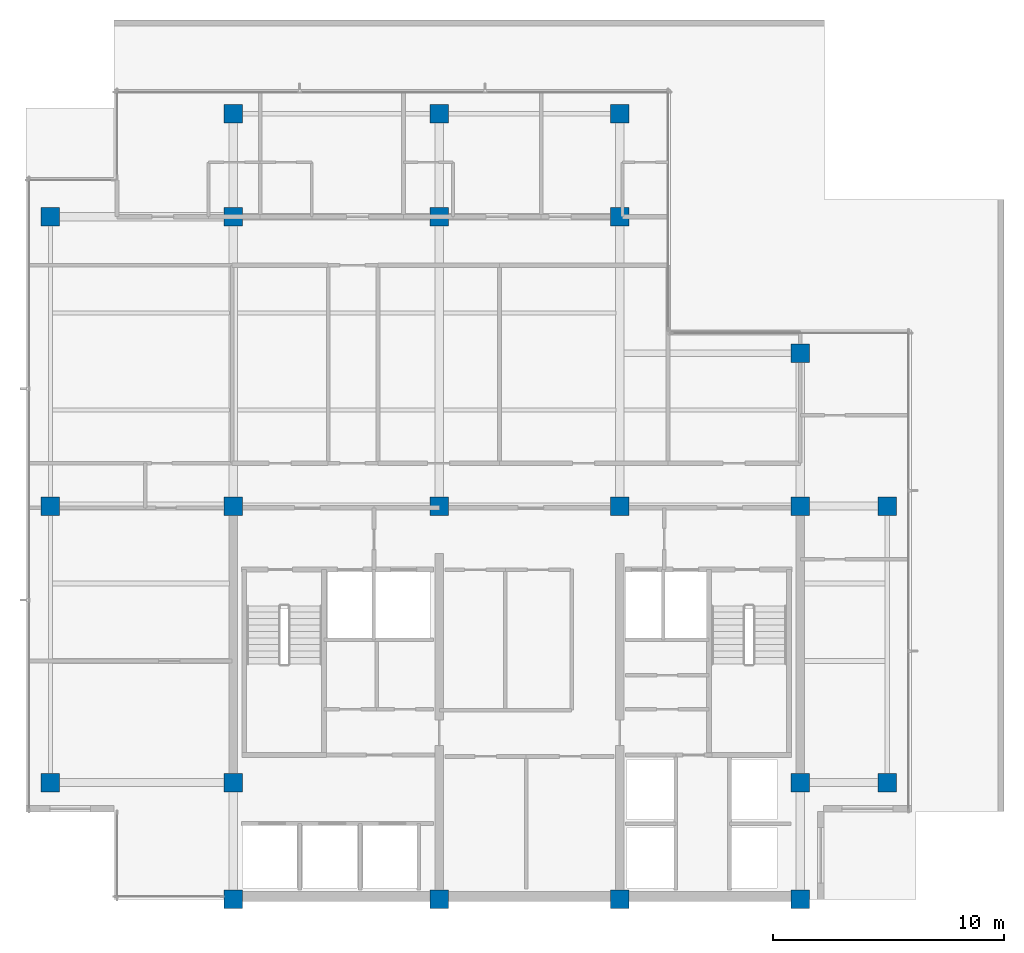
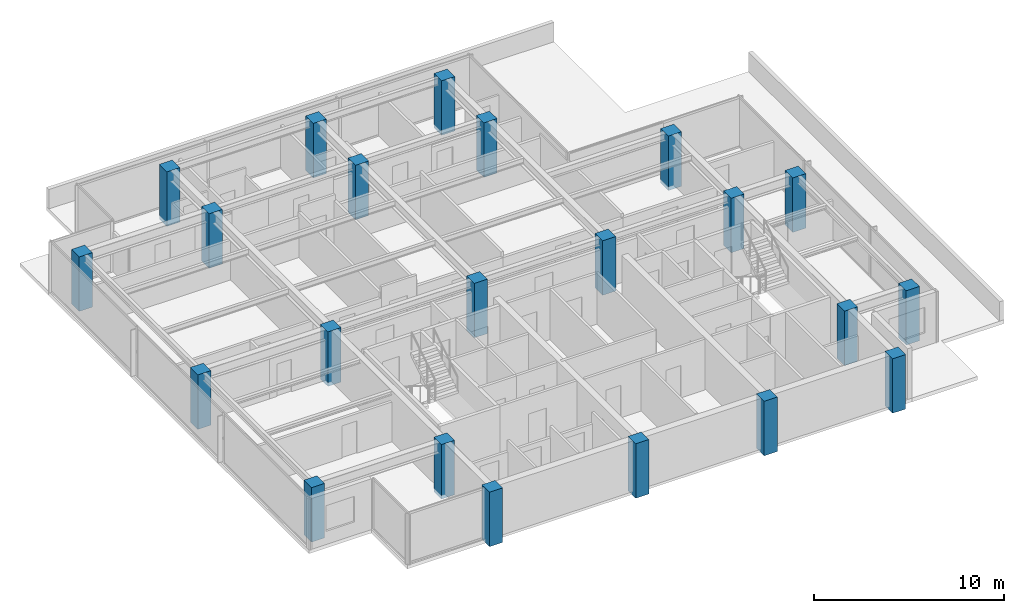
# One storey, part 1 of 11: 22 columns.
"""IFC4 building model written with IfcOpenShell, lengths in metres."""

import ifcopenshell
import ifcopenshell.guid

model = None  # the IFC model being written
_history = None  # IfcOwnerHistory: only IFC2X3 demands one
_inside = {}  # id of a spatial element -> (the spatial element, [elements in it])
_under = {}  # id of a project, library or spatial element -> (it, [spatial elements below it])
_declared = {}  # id of a project -> (the project, [libraries it declares])
_typed = {}  # id of a type object -> (the type object, [elements of that type])
_made_of = {}  # id of a material, layer set ... -> (it, [elements and type objects made of it])


def new_model(schema):
    """Start an empty IFC model of exactly this schema.

    Asked for "IFC4X3", IfcOpenShell would pick the latest addendum, in which some entities
    have other attributes; the version numbers below select the first issue.
    IFC2X3 requires an IfcOwnerHistory on every rooted entity: one is made here for all.
    """
    global model, _history
    if schema == "IFC4X3":
        model = ifcopenshell.file(schema_version=(4, 3, 0, 0))
    else:
        model = ifcopenshell.file(schema=schema)
    _inside.clear()
    _under.clear()
    _declared.clear()
    _typed.clear()
    _made_of.clear()
    _history = None
    if model.schema == "IFC2X3":
        org = make("IfcOrganization", Name="unknown")
        user = make(
            "IfcPersonAndOrganization",
            ThePerson=make("IfcPerson", FamilyName="unknown"),
            TheOrganization=org,
        )
        app = make(
            "IfcApplication",
            ApplicationDeveloper=org,
            Version="unknown",
            ApplicationFullName="unknown",
            ApplicationIdentifier="unknown",
        )
        _history = make(
            "IfcOwnerHistory",
            OwningUser=user,
            OwningApplication=app,
            ChangeAction="ADDED",
            CreationDate=0,
        )
    return model


def make(cls, **values):
    """One entity of the class cls with the attributes given. An attribute that is None is left unset."""
    return model.create_entity(
        cls, **{name: value for name, value in values.items() if value is not None}
    )


def rooted(cls, **values):
    """An entity with a GlobalId (a new one), such as an element, a storey or a relation."""
    return make(cls, GlobalId=ifcopenshell.guid.new(), OwnerHistory=_history, **values)


def si_unit(unit_type, name, prefix=None):
    """IfcSIUnit, for example si_unit("LENGTHUNIT", "METRE", prefix="MILLI")."""
    return make("IfcSIUnit", UnitType=unit_type, Prefix=prefix, Name=name)


def assignment(units):
    """IfcUnitAssignment: the units of a project."""
    return None if units is None else make("IfcUnitAssignment", Units=units)


def point(xyz):
    """IfcCartesianPoint."""
    return None if xyz is None else make("IfcCartesianPoint", Coordinates=xyz)


def direction(xyz):
    """IfcDirection."""
    return None if xyz is None else make("IfcDirection", DirectionRatios=xyz)


def frame(location, z_axis=None, x_axis=None):
    """IfcAxis2Placement3D, a coordinate frame: its origin and axes. An axis left out is left unset."""
    return make(
        "IfcAxis2Placement3D",
        Location=point(location),
        Axis=direction(z_axis),
        RefDirection=direction(x_axis),
    )


def frame_2d(location, x_axis=None):
    """IfcAxis2Placement2D, a coordinate frame in the plane: its origin and x axis."""
    return make(
        "IfcAxis2Placement2D", Location=point(location), RefDirection=direction(x_axis)
    )


def origin():
    """The frame at (0, 0, 0) with its axes left unset."""
    return frame((0.0, 0.0, 0.0))


def origin_2d():
    """The frame at (0, 0) in the plane with its x axis left unset."""
    return frame_2d((0.0, 0.0))


def place(relative_to, where):
    """IfcLocalPlacement: puts the frame where relative to a parent placement (None: the world)."""
    return make(
        "IfcLocalPlacement", PlacementRelTo=relative_to, RelativePlacement=where
    )


def context(
    kind, dimensions, precision=None, world=None, true_north=None, identifier=None
):
    """IfcGeometricRepresentationContext, for example the 3D "Model" context."""
    return make(
        "IfcGeometricRepresentationContext",
        ContextIdentifier=identifier,
        ContextType=kind,
        CoordinateSpaceDimension=dimensions,
        Precision=precision,
        WorldCoordinateSystem=world,
        TrueNorth=true_north,
    )


def subcontext(parent, identifier, kind, view, scale=None):
    """IfcGeometricRepresentationSubContext, for example "Body" below "Model"."""
    return make(
        "IfcGeometricRepresentationSubContext",
        ContextIdentifier=identifier,
        ContextType=kind,
        ParentContext=parent,
        TargetScale=scale,
        TargetView=view,
    )


def project(units=None, contexts=None):
    """IfcProject with its units and contexts."""
    return rooted(
        "IfcProject",
        Name="project",
        RepresentationContexts=contexts,
        UnitsInContext=assignment(units),
    )


def spatial(cls, under=None, at=None, **own):
    """A site, building, storey or space (cls), placed at a placement, below another one or the project."""
    s = rooted(cls, ObjectPlacement=at, **own)
    if under is not None:
        _under.setdefault(under.id(), (under, []))[1].append(s)
    return s


def profile(cls, at=None, kind="AREA", **sizes):
    """A parametric profile (cls). Its sizes go by their IFC names, for example OverallWidth=200.0."""
    return make(cls, ProfileType=kind, Position=at, **sizes)


def rectangle(**sizes):
    """IfcRectangleProfileDef."""
    return profile("IfcRectangleProfileDef", **sizes)


def extrude(swept, where, along, depth):
    """IfcExtrudedAreaSolid: the profile swept, set in the frame where, extruded along a direction by depth."""
    return make(
        "IfcExtrudedAreaSolid",
        SweptArea=swept,
        Position=where,
        ExtrudedDirection=direction(along),
        Depth=depth,
    )


def shape(context_of_items, identifier, shape_type, items):
    """IfcShapeRepresentation: the items that make up one representation, for example the "Body"."""
    return make(
        "IfcShapeRepresentation",
        ContextOfItems=context_of_items,
        RepresentationIdentifier=identifier,
        RepresentationType=shape_type,
        Items=items,
    )


def material(Name=None, Category=None):
    """IfcMaterial."""
    return make("IfcMaterial", Name=Name, Category=Category)


def material_profile(
    of_material, cross_section, Name=None, Category=None, Priority=None
):
    """IfcMaterialProfile: a cross section and its material."""
    return make(
        "IfcMaterialProfile",
        Name=Name,
        Material=of_material,
        Profile=cross_section,
        Priority=Priority,
        Category=Category,
    )


def profile_set(profiles, Name=None, composite=None):
    """IfcMaterialProfileSet."""
    return make(
        "IfcMaterialProfileSet",
        Name=Name,
        MaterialProfiles=profiles,
        CompositeProfile=composite,
    )


def made_of(thing, what):
    """Note that an element or type object is made of a material, layer set ...; save() writes the relation."""
    if what is not None:
        _made_of.setdefault(what.id(), (what, []))[1].append(thing)
    return thing


def type_object(cls, material=None, **own):
    """A type object (cls), such as IfcWallType, which elements share."""
    return made_of(rooted(cls, **own), material)


def element(
    cls,
    number,
    at=None,
    inside=None,
    cuts=None,
    type_object=None,
    material=None,
    context=None,
    identifier="Body",
    shape_type=None,
    held_by="IfcProductDefinitionShape",
    body=None,
    shapes=None,
    **own,
):
    """One element of the class cls, such as IfcWall. Its Tag is "e" and its number.

    at: its placement. inside: the storey or other place that contains it. cuts: it is an
    opening in that element (IfcRelVoidsElement). A single representation is given by context,
    identifier, shape_type and body (its items); several are given by shapes. held_by: the class
    of the entity that holds the representations. save() writes the other relations.
    """
    e = rooted(cls, Tag="e%d" % number, ObjectPlacement=at, **own)
    if body is not None:
        shapes = [shape(context, identifier, shape_type, body)]
    if shapes is not None:
        e.Representation = make(held_by, Representations=shapes)
    if inside is not None:
        _inside.setdefault(inside.id(), (inside, []))[1].append(e)
    if cuts is not None:
        rooted(
            "IfcRelVoidsElement", RelatingBuildingElement=cuts, RelatedOpeningElement=e
        )
    if type_object is not None:
        _typed.setdefault(type_object.id(), (type_object, []))[1].append(e)
    return made_of(e, material)


def aggregate(whole, parts):
    """IfcRelAggregates: a whole, such as a stair, and the parts it consists of."""
    return rooted("IfcRelAggregates", RelatingObject=whole, RelatedObjects=parts)


def save(model, path):
    """Write the relations noted so far, then the file.

    IfcRelAggregates (storeys below a building ...), IfcRelContainedInSpatialStructure (elements
    in a storey), IfcRelDefinesByType, IfcRelAssociatesMaterial and IfcRelDeclares: one each for
    every whole, place, type object, material and project.
    """
    for whole, parts in _under.values():
        aggregate(whole, parts)
    for where, things in _inside.values():
        rooted(
            "IfcRelContainedInSpatialStructure",
            RelatedElements=things,
            RelatingStructure=where,
        )
    for kind, things in _typed.values():
        rooted("IfcRelDefinesByType", RelatedObjects=things, RelatingType=kind)
    for what, things in _made_of.values():
        rooted("IfcRelAssociatesMaterial", RelatedObjects=things, RelatingMaterial=what)
    for by, libraries in _declared.values():
        rooted("IfcRelDeclares", RelatingContext=by, RelatedDefinitions=libraries)
    model.write(path)


model = new_model("IFC4")

# Units and contexts
model_context = context("Model", 3, precision=1e-05, world=origin(), true_north=direction((0.0, 1.0)))
body_context = subcontext(model_context, "Body", "Model", "MODEL_VIEW")
ifc_project = project(units=[si_unit("LENGTHUNIT", "METRE"), si_unit("AREAUNIT", "SQUARE_METRE"), si_unit("VOLUMEUNIT", "CUBIC_METRE"), si_unit("PLANEANGLEUNIT", "RADIAN"), si_unit("MASSUNIT", "GRAM", prefix="KILO")], contexts=[model_context])

# Site, building, storey
site_placement = place(None, origin())
site = spatial("IfcSite", under=ifc_project, at=site_placement, CompositionType="ELEMENT")
building_placement = place(site_placement, origin())
building = spatial("IfcBuilding", under=site, at=building_placement, Name="Qalmaran Belvedere Hotel", CompositionType="ELEMENT")
storey_placement = place(building_placement, frame((0.0, 0.0, 238.89990234375)))
storey = spatial("IfcBuildingStorey", under=building, at=storey_placement, Name="L61", CompositionType="ELEMENT", Elevation=238.89990234375)

# Columns
ifc_material = material(Name="Concrete C50/60", Category="concrete")
ifc_material_profile = material_profile(ifc_material, rectangle(XDim=0.800048828125, YDim=0.800048828125, at=origin_2d()), Name="CC800X800")
ifc_profile_set = profile_set([ifc_material_profile], Name="Concrete C50/60")
column_type = type_object("IfcColumnType", Name="COL-Z5-CC800", PredefinedType="COLUMN", material=ifc_profile_set)
for number, where, z_axis, x_axis, name in (
    (1, (20.300048828125, 3.5, -0.239990234375), (0.0, 0.0, 1.0), (1.0, 0.0, 0.0), "L61 Column C4B"),
    (2, (29.199951171875, 3.5, -0.239990234375), (0.0, 0.0, 1.0), (1.0, 0.0, 0.0), "L61 Column C5B"),
    (3, (37.0, 3.5, -0.239990234375), (0.0, 0.0, 1.0), (1.0, 0.0, 0.0), "L61 Column C6B"),
    (4, (44.800048828125, 3.5, -0.239990234375), (0.0, 0.0, 1.0), (1.0, 0.0, 0.0), "L61 Column C7B"),
    (5, (20.300048828125, 8.550048828125, -0.239990234375), (0.0, 0.0, 1.0), (1.0, 0.0, 0.0), "L61 Column C4C"),
    (6, (44.800048828125, 8.550048828125, -0.239990234375), (0.0, 0.0, 1.0), (1.0, 0.0, 0.0), "L61 Column C7C"),
    (7, (20.300048828125, 20.5, -0.239990234375), (0.0, 0.0, 1.0), (1.0, 0.0, 0.0), "L61 Column C4D"),
    (8, (29.199951171875, 20.5, -0.239990234375), (0.0, 0.0, 1.0), (1.0, 0.0, 0.0), "L61 Column C5D"),
    (9, (37.0, 20.5, -0.239990234375), (0.0, 0.0, 1.0), (1.0, 0.0, 0.0), "L61 Column C6D"),
    (10, (44.800048828125, 20.5, -0.239990234375), (0.0, 0.0, 1.0), (1.0, 0.0, 0.0), "L61 Column C7D"),
    (11, (20.300048828125, 33.0, -0.239990234375), (0.0, 0.0, 1.0), (1.0, 0.0, 0.0), "L61 Column C4F"),
    (12, (29.199951171875, 33.0, -0.239990234375), (0.0, 0.0, 1.0), (1.0, 0.0, 0.0), "L61 Column C5F"),
    (13, (37.0, 33.0, -0.239990234375), (0.0, 0.0, 1.0), (1.0, 0.0, 0.0), "L61 Column C6F"),
    (14, (44.800048828125, 27.10009765625, -0.239990234375), (0.0, 0.0, 1.0), (1.0, 0.0, 0.0), "L61 Column C7E"),
    (15, (12.39990234375, 8.550048828125, -0.239990234375), (0.0, 0.0, 1.0), (1.0, 0.0, 0.0), "L61 Column CW1"),
    (16, (12.39990234375, 20.5, -0.239990234375), (0.0, 0.0, 1.0), (1.0, 0.0, 0.0), "L61 Column CW3"),
    (17, (12.39990234375, 33.0, -0.239990234375), (0.0, 0.0, 1.0), (1.0, 0.0, 0.0), "L61 Column CW4"),
    (18, (48.550048828125, 8.550048828125, -0.239990234375), (0.0, 0.0, 1.0), (1.0, 0.0, 0.0), "L61 Column CE1"),
    (19, (48.550048828125, 20.5, -0.239990234375), (0.0, 0.0, 1.0), (1.0, 0.0, 0.0), "L61 Column CE3"),
    (20, (20.300048828125, 37.449951171875, -0.239990234375), (0.0, 0.0, 1.0), (1.0, 0.0, 0.0), "L61 Column CN1"),
    (21, (29.199951171875, 37.449951171875, -0.239990234375), (0.0, 0.0, 1.0), (1.0, 0.0, 0.0), "L61 Column CN2"),
    (22, (37.0, 37.449951171875, -0.239990234375), (0.0, 0.0, 1.0), (1.0, 0.0, 0.0), "L61 Column CN3"),
):
    element("IfcColumn", number, at=place(storey_placement, frame(where, z_axis=z_axis, x_axis=x_axis)), inside=storey, type_object=column_type, Name=name, PredefinedType="COLUMN", context=body_context, shape_type="SweptSolid", body=[
        extrude(rectangle(XDim=0.800048828125, YDim=0.800048828125, at=origin_2d()), origin(), (0.0, 0.0, 1.0), 3.5),
    ])

save(model, "model.ifc")
